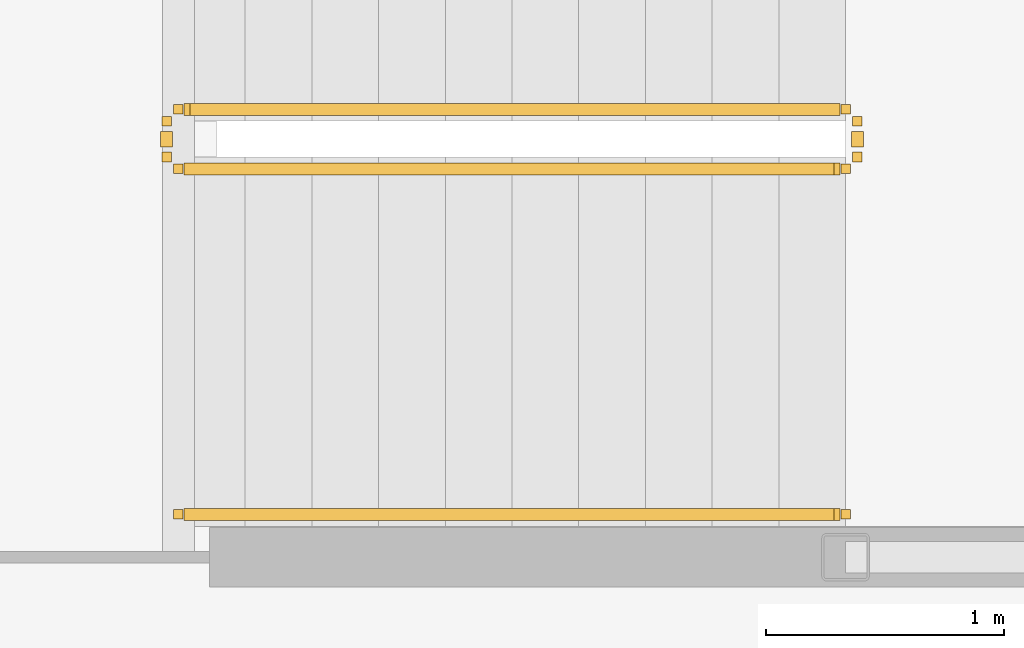
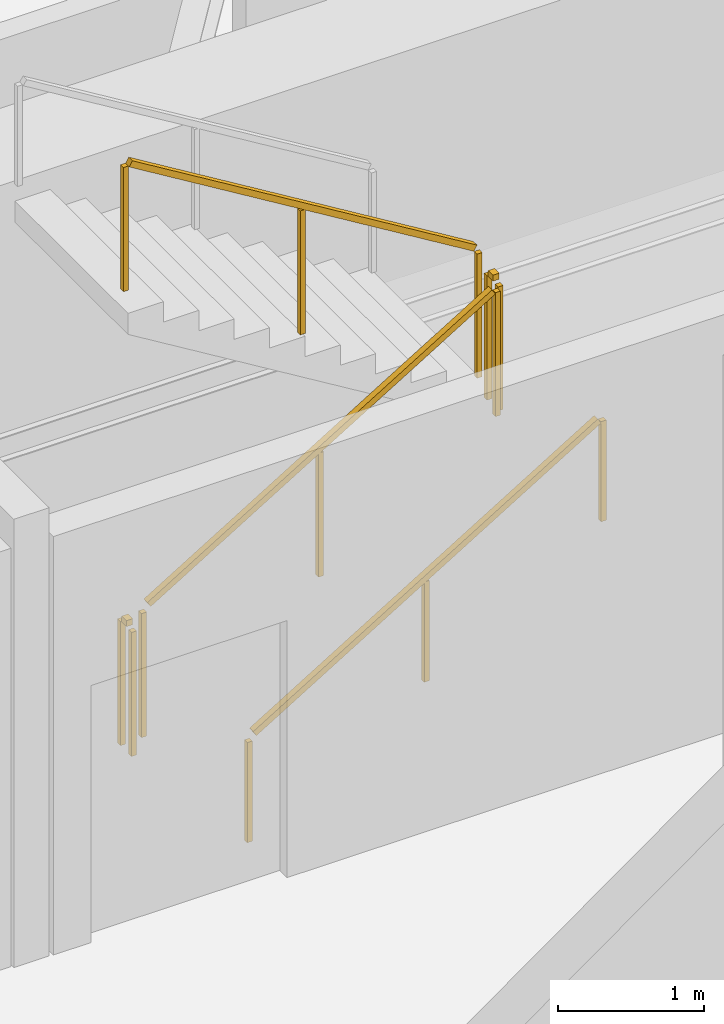
# One storey, part 19 of 20: 5 railings.
"""IFC4 building model written with IfcOpenShell, lengths in metres."""

from ifc_helpers import new_model, si_unit, direction, frame, origin, origin_2d, place, context, subcontext, project, spatial, rectangle, extrude, material, type_object, element, save


model = new_model("IFC4")

# Units and contexts
model_context = context("Model", 3, precision=1e-05, world=origin(), true_north=direction((0.0, 1.0)))
body_context = subcontext(model_context, "Body", "Model", "MODEL_VIEW")
ifc_project = project(units=[si_unit("LENGTHUNIT", "METRE"), si_unit("AREAUNIT", "SQUARE_METRE"), si_unit("VOLUMEUNIT", "CUBIC_METRE"), si_unit("PLANEANGLEUNIT", "RADIAN"), si_unit("MASSUNIT", "GRAM", prefix="KILO")], contexts=[model_context])

# Site, building, storey
site_placement = place(None, origin())
site = spatial("IfcSite", under=ifc_project, at=site_placement, CompositionType="ELEMENT")
building_placement = place(site_placement, origin())
building = spatial("IfcBuilding", under=site, at=building_placement, Name="Kazma Halo Residences", CompositionType="ELEMENT")
storey_placement = place(building_placement, frame((0.0, 0.0, 165.300048828125)))
storey = spatial("IfcBuildingStorey", under=building, at=storey_placement, Name="L41", CompositionType="ELEMENT", Elevation=165.300048828125)

# Railings
ifc_material_1 = material(Name="Painted Steel S355", Category="steel")
railing_type_1 = type_object("IfcRailingType", Name="RLG-STAIR-GRD-1100", PredefinedType="GUARDRAIL", material=ifc_material_1)
railing_1_placement = place(storey_placement, frame((53.199951171875, 48.25, 0.17041015625)))
element("IfcRailing", 1, at=railing_1_placement, inside=storey, type_object=railing_type_1, Name="L41 ST-02 stair guard 1", PredefinedType="GUARDRAIL", context=body_context, shape_type="SweptSolid", body=[
    extrude(rectangle(XDim=0.050048828125, YDim=0.050048828125, at=origin_2d()), frame((0.036376953125, 0.0, 1.09716796875), z_axis=(0.854169791009, 0.0, 0.51999420009), x_axis=(0.0, 1.0, 0.0)), (0.0, 0.0, 1.0), 3.193115234375),
    extrude(rectangle(XDim=0.0400390625, YDim=0.0400390625, at=origin_2d()), origin(), (0.0, 0.0, 1.0), 1.0380859375),
    extrude(rectangle(XDim=0.0400390625, YDim=0.0400390625, at=origin_2d()), frame((1.39990234375, 0.0, 0.852294921875)), (0.0, 0.0, 1.0), 1.0380859375),
    extrude(rectangle(XDim=0.0400390625, YDim=0.0400390625, at=origin_2d()), frame((2.800048828125, 0.0, 1.70458984375)), (0.0, 0.0, 1.0), 1.0380859375),
])
railing_2_placement = place(storey_placement, frame((56.050048828125, 48.300048828125, 1.875)))
element("IfcRailing", 2, at=railing_2_placement, inside=storey, type_object=railing_type_1, Name="L41 ST-02 stair guard 2", PredefinedType="GUARDRAIL", context=body_context, shape_type="SweptSolid", body=[
    extrude(rectangle(XDim=0.050048828125, YDim=0.050048828125, at=origin_2d()), frame((0.0, 0.04248046875, 1.0751953125), z_axis=(0.0, 1.0, 0.0), x_axis=(-1.0, 0.0, 0.0)), (0.0, 0.0, 1.0), 0.06494140625),
    extrude(rectangle(XDim=0.0400390625, YDim=0.0400390625, at=origin_2d()), origin(), (0.0, 0.0, 1.0), 1.0380859375),
    extrude(rectangle(XDim=0.0400390625, YDim=0.0400390625, at=origin_2d()), frame((0.0, 0.14990234375, 0.0)), (0.0, 0.0, 1.0), 1.0380859375),
])
railing_3_placement = place(storey_placement, frame((56.0, 48.5, 2.04541015625)))
element("IfcRailing", 3, at=railing_3_placement, inside=storey, type_object=railing_type_1, Name="L41 ST-02 stair guard 3", PredefinedType="GUARDRAIL", context=body_context, shape_type="SweptSolid", body=[
    extrude(rectangle(XDim=0.050048828125, YDim=0.050048828125, at=origin_2d()), frame((-0.036376953125, 0.0, 1.09716796875), z_axis=(-0.854169791009, 0.0, 0.51999420009), x_axis=(0.0, -1.0, 0.0)), (0.0, 0.0, 1.0), 3.193115234375),
    extrude(rectangle(XDim=0.0400390625, YDim=0.0400390625, at=origin_2d()), origin(), (0.0, 0.0, 1.0), 1.0380859375),
    extrude(rectangle(XDim=0.0400390625, YDim=0.0400390625, at=origin_2d()), frame((-1.39990234375, 0.0, 0.852294921875)), (0.0, 0.0, 1.0), 1.0380859375),
    extrude(rectangle(XDim=0.0400390625, YDim=0.0400390625, at=origin_2d()), frame((-2.800048828125, 0.0, 1.70458984375)), (0.0, 0.0, 1.0), 1.0380859375),
])
railing_4_placement = place(storey_placement, frame((53.14990234375, 48.300048828125, 0.0)))
element("IfcRailing", 4, at=railing_4_placement, inside=storey, type_object=railing_type_1, Name="L41 ST-02 stair guard 4", PredefinedType="GUARDRAIL", context=body_context, shape_type="SweptSolid", body=[
    extrude(rectangle(XDim=0.050048828125, YDim=0.050048828125, at=origin_2d()), frame((0.0, 0.04248046875, 1.0751953125), z_axis=(0.0, 1.0, 0.0), x_axis=(-1.0, 0.0, 0.0)), (0.0, 0.0, 1.0), 0.06494140625),
    extrude(rectangle(XDim=0.0400390625, YDim=0.0400390625, at=origin_2d()), origin(), (0.0, 0.0, 1.0), 1.0380859375),
    extrude(rectangle(XDim=0.0400390625, YDim=0.0400390625, at=origin_2d()), frame((0.0, 0.14990234375, 0.0)), (0.0, 0.0, 1.0), 1.0380859375),
])
ifc_material_2 = material(Name="Brushed Stainless Steel", Category="steel")
railing_type_2 = type_object("IfcRailingType", Name="RLG-STAIR-HND-900", PredefinedType="HANDRAIL", material=ifc_material_2)
railing_5_placement = place(storey_placement, frame((53.199951171875, 46.800048828125, 0.17041015625)))
element("IfcRailing", 5, at=railing_5_placement, inside=storey, type_object=railing_type_2, Name="L41 ST-02 stair handrail 1", PredefinedType="HANDRAIL", context=body_context, shape_type="SweptSolid", body=[
    extrude(rectangle(XDim=0.050048828125, YDim=0.050048828125, at=origin_2d()), frame((0.036376953125, 0.0, 0.89697265625), z_axis=(0.854169791009, 0.0, 0.51999420009), x_axis=(0.0, 1.0, 0.0)), (0.0, 0.0, 1.0), 3.193115234375),
    extrude(rectangle(XDim=0.0400390625, YDim=0.0400390625, at=origin_2d()), origin(), (0.0, 0.0, 1.0), 0.837890625),
    extrude(rectangle(XDim=0.0400390625, YDim=0.0400390625, at=origin_2d()), frame((1.39990234375, 0.0, 0.852294921875)), (0.0, 0.0, 1.0), 0.837890625),
    extrude(rectangle(XDim=0.0400390625, YDim=0.0400390625, at=origin_2d()), frame((2.800048828125, 0.0, 1.70458984375)), (0.0, 0.0, 1.0), 0.837890625),
])

save(model, "model.ifc")
